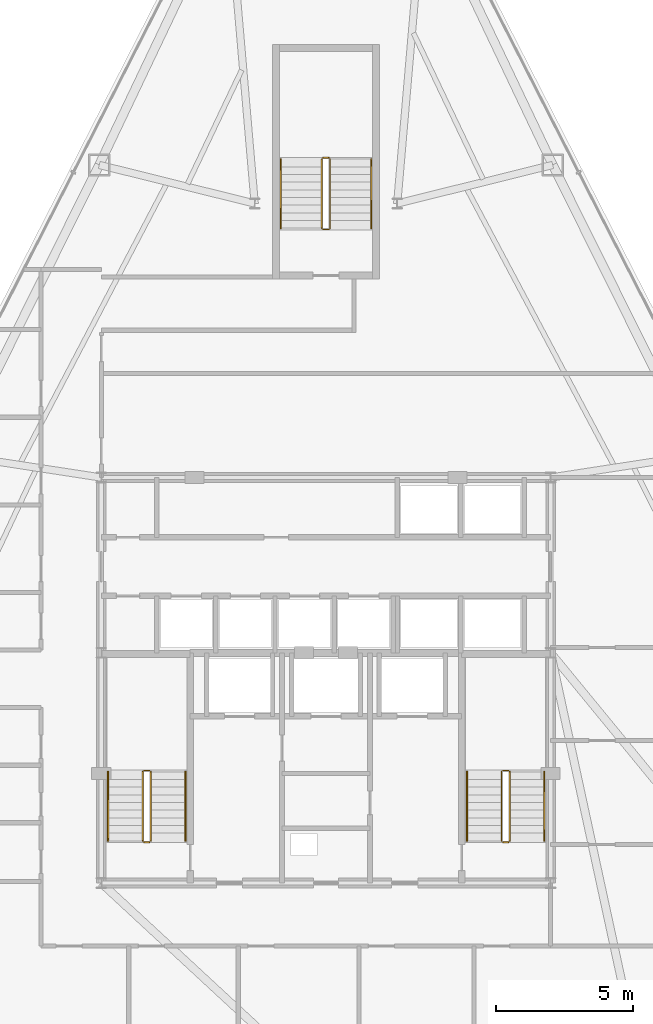
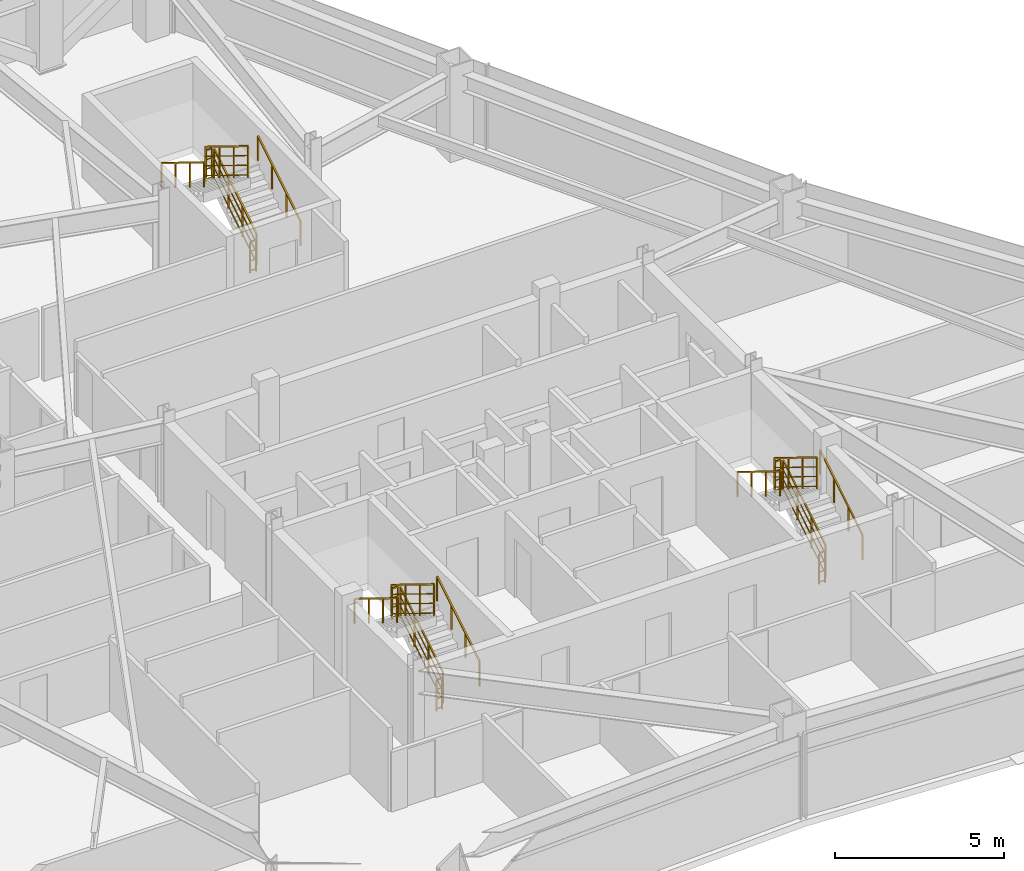
# One storey, part 12 of 12: 18 railings.
"""IFC4 building model written with IfcOpenShell, lengths in metres."""

from ifc_helpers import new_model, si_unit, direction, frame, origin, origin_2d, place, context, subcontext, project, spatial, rectangle, extrude, material, type_object, element, save


model = new_model("IFC4")

# Units and contexts
model_context = context("Model", 3, precision=1e-05, world=origin(), true_north=direction((0.0, 1.0)))
body_context = subcontext(model_context, "Body", "Model", "MODEL_VIEW")
ifc_project = project(units=[si_unit("LENGTHUNIT", "METRE"), si_unit("AREAUNIT", "SQUARE_METRE"), si_unit("VOLUMEUNIT", "CUBIC_METRE"), si_unit("PLANEANGLEUNIT", "RADIAN"), si_unit("MASSUNIT", "GRAM", prefix="KILO")], contexts=[model_context])

# Site, building, storey
site_placement = place(None, origin())
site = spatial("IfcSite", under=ifc_project, at=site_placement, CompositionType="ELEMENT")
building_placement = place(site_placement, origin())
building = spatial("IfcBuilding", under=site, at=building_placement, Name="Varakhsha Concourse Tower", CompositionType="ELEMENT")
storey_placement = place(building_placement, frame((0.0, 0.0, 193.050048828125)))
storey = spatial("IfcBuildingStorey", under=building, at=storey_placement, Name="L55", CompositionType="ELEMENT", Elevation=193.050048828125)

# Railings
ifc_material = material(Name="Brushed Austenitic Stainless Steel AISI 316", Category="steel")
railing_type_1 = type_object("IfcRailingType", Name="RL-STAIR-GUARD-1100", PredefinedType="GUARDRAIL", material=ifc_material)
railing_1_placement = place(storey_placement, frame((33.610107421875, 17.93994140625, 0.17236328125)))
element("IfcRailing", 1, at=railing_1_placement, inside=storey, type_object=railing_type_1, Name="L55 ST1 stair guard 1", PredefinedType="GUARDRAIL", context=body_context, shape_type="SweptSolid", body=[
    extrude(rectangle(XDim=0.048095703125, YDim=0.048095703125, at=origin_2d()), frame((0.0, 0.0, 1.1259765625), z_axis=(0.0, 0.851400495292, 0.524516154772), x_axis=(-1.0, 0.0, 0.0)), (0.0, 0.0, 1.0), 2.9599609375),
    extrude(rectangle(XDim=0.028076171875, YDim=0.028076171875, at=origin_2d()), frame((0.0, 0.0, 0.080078125), z_axis=(0.0, 0.851400495292, 0.524516154772), x_axis=(-1.0, 0.0, 0.0)), (0.0, 0.0, 1.0), 2.9599609375),
    extrude(rectangle(XDim=0.028076171875, YDim=0.028076171875, at=origin_2d()), frame((0.0, 0.0, 0.43701171875), z_axis=(0.0, 0.851400495292, 0.524516154772), x_axis=(-1.0, 0.0, 0.0)), (0.0, 0.0, 1.0), 2.9599609375),
    extrude(rectangle(XDim=0.028076171875, YDim=0.028076171875, at=origin_2d()), frame((0.0, 0.0, 0.781982421875), z_axis=(0.0, 0.851400495292, 0.524516154772), x_axis=(-1.0, 0.0, 0.0)), (0.0, 0.0, 1.0), 2.9599609375),
    extrude(rectangle(XDim=0.0419921875, YDim=0.0419921875, at=origin_2d()), origin(), (0.0, 0.0, 1.0), 1.101806640625),
    extrude(rectangle(XDim=0.0419921875, YDim=0.0419921875, at=origin_2d()), frame((0.0, 0.840087890625, 0.517578125)), (0.0, 0.0, 1.0), 1.101806640625),
    extrude(rectangle(XDim=0.0419921875, YDim=0.0419921875, at=origin_2d()), frame((0.0, 1.679931640625, 1.034912109375)), (0.0, 0.0, 1.0), 1.101806640625),
    extrude(rectangle(XDim=0.0419921875, YDim=0.0419921875, at=origin_2d()), frame((0.0, 2.52001953125, 1.552490234375)), (0.0, 0.0, 1.0), 1.101806640625),
])
railing_2_placement = place(storey_placement, frame((33.56005859375, 20.510009765625, 1.724853515625)))
element("IfcRailing", 2, at=railing_2_placement, inside=storey, type_object=railing_type_1, Name="L55 ST1 stair guard 2", PredefinedType="GUARDRAIL", context=body_context, shape_type="SweptSolid", body=[
    extrude(rectangle(XDim=0.048095703125, YDim=0.048095703125, at=origin_2d()), frame((0.0, 0.0, 1.1259765625), z_axis=(-1.0, 0.0, 0.0), x_axis=(0.0, -1.0, 0.0)), (0.0, 0.0, 1.0), 0.199951171875),
    extrude(rectangle(XDim=0.028076171875, YDim=0.028076171875, at=origin_2d()), frame((0.0, 0.0, 0.080078125), z_axis=(-1.0, 0.0, 0.0), x_axis=(0.0, -1.0, 0.0)), (0.0, 0.0, 1.0), 0.199951171875),
    extrude(rectangle(XDim=0.028076171875, YDim=0.028076171875, at=origin_2d()), frame((0.0, 0.0, 0.43701171875), z_axis=(-1.0, 0.0, 0.0), x_axis=(0.0, -1.0, 0.0)), (0.0, 0.0, 1.0), 0.199951171875),
    extrude(rectangle(XDim=0.028076171875, YDim=0.028076171875, at=origin_2d()), frame((0.0, 0.0, 0.781982421875), z_axis=(-1.0, 0.0, 0.0), x_axis=(0.0, -1.0, 0.0)), (0.0, 0.0, 1.0), 0.199951171875),
    extrude(rectangle(XDim=0.0419921875, YDim=0.0419921875, at=origin_2d()), origin(), (0.0, 0.0, 1.0), 1.101806640625),
    extrude(rectangle(XDim=0.0419921875, YDim=0.0419921875, at=origin_2d()), frame((-0.199951171875, 0.0, 0.0)), (0.0, 0.0, 1.0), 1.101806640625),
])
railing_3_placement = place(storey_placement, frame((33.31005859375, 20.4599609375, 1.8974609375)))
element("IfcRailing", 3, at=railing_3_placement, inside=storey, type_object=railing_type_1, Name="L55 ST1 stair guard 3", PredefinedType="GUARDRAIL", context=body_context, shape_type="SweptSolid", body=[
    extrude(rectangle(XDim=0.048095703125, YDim=0.048095703125, at=origin_2d()), frame((0.0, 0.0, 1.1259765625), z_axis=(0.0, -0.851400495292, 0.524516154772), x_axis=(1.0, 0.0, 0.0)), (0.0, 0.0, 1.0), 2.9599609375),
    extrude(rectangle(XDim=0.028076171875, YDim=0.028076171875, at=origin_2d()), frame((0.0, 0.0, 0.080078125), z_axis=(0.0, -0.851400495292, 0.524516154772), x_axis=(1.0, 0.0, 0.0)), (0.0, 0.0, 1.0), 2.9599609375),
    extrude(rectangle(XDim=0.028076171875, YDim=0.028076171875, at=origin_2d()), frame((0.0, 0.0, 0.43701171875), z_axis=(0.0, -0.851400495292, 0.524516154772), x_axis=(1.0, 0.0, 0.0)), (0.0, 0.0, 1.0), 2.9599609375),
    extrude(rectangle(XDim=0.028076171875, YDim=0.028076171875, at=origin_2d()), frame((0.0, 0.0, 0.781982421875), z_axis=(0.0, -0.851400495292, 0.524516154772), x_axis=(1.0, 0.0, 0.0)), (0.0, 0.0, 1.0), 2.9599609375),
    extrude(rectangle(XDim=0.0419921875, YDim=0.0419921875, at=origin_2d()), origin(), (0.0, 0.0, 1.0), 1.101806640625),
    extrude(rectangle(XDim=0.0419921875, YDim=0.0419921875, at=origin_2d()), frame((0.0, -0.840087890625, 0.517578125)), (0.0, 0.0, 1.0), 1.101806640625),
    extrude(rectangle(XDim=0.0419921875, YDim=0.0419921875, at=origin_2d()), frame((0.0, -1.679931640625, 1.034912109375)), (0.0, 0.0, 1.0), 1.101806640625),
    extrude(rectangle(XDim=0.0419921875, YDim=0.0419921875, at=origin_2d()), frame((0.0, -2.52001953125, 1.552490234375)), (0.0, 0.0, 1.0), 1.101806640625),
])
railing_4_placement = place(storey_placement, frame((33.56005859375, 17.889892578125, 0.0)))
element("IfcRailing", 4, at=railing_4_placement, inside=storey, type_object=railing_type_1, Name="L55 ST1 stair guard 4", PredefinedType="GUARDRAIL", context=body_context, shape_type="SweptSolid", body=[
    extrude(rectangle(XDim=0.048095703125, YDim=0.048095703125, at=origin_2d()), frame((0.0, 0.0, 1.1259765625), z_axis=(-1.0, 0.0, 0.0), x_axis=(0.0, -1.0, 0.0)), (0.0, 0.0, 1.0), 0.199951171875),
    extrude(rectangle(XDim=0.028076171875, YDim=0.028076171875, at=origin_2d()), frame((0.0, 0.0, 0.080078125), z_axis=(-1.0, 0.0, 0.0), x_axis=(0.0, -1.0, 0.0)), (0.0, 0.0, 1.0), 0.199951171875),
    extrude(rectangle(XDim=0.028076171875, YDim=0.028076171875, at=origin_2d()), frame((0.0, 0.0, 0.43701171875), z_axis=(-1.0, 0.0, 0.0), x_axis=(0.0, -1.0, 0.0)), (0.0, 0.0, 1.0), 0.199951171875),
    extrude(rectangle(XDim=0.028076171875, YDim=0.028076171875, at=origin_2d()), frame((0.0, 0.0, 0.781982421875), z_axis=(-1.0, 0.0, 0.0), x_axis=(0.0, -1.0, 0.0)), (0.0, 0.0, 1.0), 0.199951171875),
    extrude(rectangle(XDim=0.0419921875, YDim=0.0419921875, at=origin_2d()), origin(), (0.0, 0.0, 1.0), 1.101806640625),
    extrude(rectangle(XDim=0.0419921875, YDim=0.0419921875, at=origin_2d()), frame((-0.199951171875, 0.0, 0.0)), (0.0, 0.0, 1.0), 1.101806640625),
])
railing_5_placement = place(storey_placement, frame((46.7099609375, 17.93994140625, 0.17236328125)))
element("IfcRailing", 5, at=railing_5_placement, inside=storey, type_object=railing_type_1, Name="L55 ST2 stair guard 1", PredefinedType="GUARDRAIL", context=body_context, shape_type="SweptSolid", body=[
    extrude(rectangle(XDim=0.048095703125, YDim=0.048095703125, at=origin_2d()), frame((0.0, 0.0, 1.1259765625), z_axis=(0.0, 0.851400495292, 0.524516154772), x_axis=(-1.0, 0.0, 0.0)), (0.0, 0.0, 1.0), 2.9599609375),
    extrude(rectangle(XDim=0.028076171875, YDim=0.028076171875, at=origin_2d()), frame((0.0, 0.0, 0.080078125), z_axis=(0.0, 0.851400495292, 0.524516154772), x_axis=(-1.0, 0.0, 0.0)), (0.0, 0.0, 1.0), 2.9599609375),
    extrude(rectangle(XDim=0.028076171875, YDim=0.028076171875, at=origin_2d()), frame((0.0, 0.0, 0.43701171875), z_axis=(0.0, 0.851400495292, 0.524516154772), x_axis=(-1.0, 0.0, 0.0)), (0.0, 0.0, 1.0), 2.9599609375),
    extrude(rectangle(XDim=0.028076171875, YDim=0.028076171875, at=origin_2d()), frame((0.0, 0.0, 0.781982421875), z_axis=(0.0, 0.851400495292, 0.524516154772), x_axis=(-1.0, 0.0, 0.0)), (0.0, 0.0, 1.0), 2.9599609375),
    extrude(rectangle(XDim=0.0419921875, YDim=0.0419921875, at=origin_2d()), origin(), (0.0, 0.0, 1.0), 1.101806640625),
    extrude(rectangle(XDim=0.0419921875, YDim=0.0419921875, at=origin_2d()), frame((0.0, 0.840087890625, 0.517578125)), (0.0, 0.0, 1.0), 1.101806640625),
    extrude(rectangle(XDim=0.0419921875, YDim=0.0419921875, at=origin_2d()), frame((0.0, 1.679931640625, 1.034912109375)), (0.0, 0.0, 1.0), 1.101806640625),
    extrude(rectangle(XDim=0.0419921875, YDim=0.0419921875, at=origin_2d()), frame((0.0, 2.52001953125, 1.552490234375)), (0.0, 0.0, 1.0), 1.101806640625),
])
railing_6_placement = place(storey_placement, frame((46.659912109375, 20.510009765625, 1.724853515625)))
element("IfcRailing", 6, at=railing_6_placement, inside=storey, type_object=railing_type_1, Name="L55 ST2 stair guard 2", PredefinedType="GUARDRAIL", context=body_context, shape_type="SweptSolid", body=[
    extrude(rectangle(XDim=0.048095703125, YDim=0.048095703125, at=origin_2d()), frame((0.0, 0.0, 1.1259765625), z_axis=(-1.0, 0.0, 0.0), x_axis=(0.0, -1.0, 0.0)), (0.0, 0.0, 1.0), 0.199951171875),
    extrude(rectangle(XDim=0.028076171875, YDim=0.028076171875, at=origin_2d()), frame((0.0, 0.0, 0.080078125), z_axis=(-1.0, 0.0, 0.0), x_axis=(0.0, -1.0, 0.0)), (0.0, 0.0, 1.0), 0.199951171875),
    extrude(rectangle(XDim=0.028076171875, YDim=0.028076171875, at=origin_2d()), frame((0.0, 0.0, 0.43701171875), z_axis=(-1.0, 0.0, 0.0), x_axis=(0.0, -1.0, 0.0)), (0.0, 0.0, 1.0), 0.199951171875),
    extrude(rectangle(XDim=0.028076171875, YDim=0.028076171875, at=origin_2d()), frame((0.0, 0.0, 0.781982421875), z_axis=(-1.0, 0.0, 0.0), x_axis=(0.0, -1.0, 0.0)), (0.0, 0.0, 1.0), 0.199951171875),
    extrude(rectangle(XDim=0.0419921875, YDim=0.0419921875, at=origin_2d()), origin(), (0.0, 0.0, 1.0), 1.101806640625),
    extrude(rectangle(XDim=0.0419921875, YDim=0.0419921875, at=origin_2d()), frame((-0.199951171875, 0.0, 0.0)), (0.0, 0.0, 1.0), 1.101806640625),
])
railing_7_placement = place(storey_placement, frame((46.409912109375, 20.4599609375, 1.8974609375)))
element("IfcRailing", 7, at=railing_7_placement, inside=storey, type_object=railing_type_1, Name="L55 ST2 stair guard 3", PredefinedType="GUARDRAIL", context=body_context, shape_type="SweptSolid", body=[
    extrude(rectangle(XDim=0.048095703125, YDim=0.048095703125, at=origin_2d()), frame((0.0, 0.0, 1.1259765625), z_axis=(0.0, -0.851400495292, 0.524516154772), x_axis=(1.0, 0.0, 0.0)), (0.0, 0.0, 1.0), 2.9599609375),
    extrude(rectangle(XDim=0.028076171875, YDim=0.028076171875, at=origin_2d()), frame((0.0, 0.0, 0.080078125), z_axis=(0.0, -0.851400495292, 0.524516154772), x_axis=(1.0, 0.0, 0.0)), (0.0, 0.0, 1.0), 2.9599609375),
    extrude(rectangle(XDim=0.028076171875, YDim=0.028076171875, at=origin_2d()), frame((0.0, 0.0, 0.43701171875), z_axis=(0.0, -0.851400495292, 0.524516154772), x_axis=(1.0, 0.0, 0.0)), (0.0, 0.0, 1.0), 2.9599609375),
    extrude(rectangle(XDim=0.028076171875, YDim=0.028076171875, at=origin_2d()), frame((0.0, 0.0, 0.781982421875), z_axis=(0.0, -0.851400495292, 0.524516154772), x_axis=(1.0, 0.0, 0.0)), (0.0, 0.0, 1.0), 2.9599609375),
    extrude(rectangle(XDim=0.0419921875, YDim=0.0419921875, at=origin_2d()), origin(), (0.0, 0.0, 1.0), 1.101806640625),
    extrude(rectangle(XDim=0.0419921875, YDim=0.0419921875, at=origin_2d()), frame((0.0, -0.840087890625, 0.517578125)), (0.0, 0.0, 1.0), 1.101806640625),
    extrude(rectangle(XDim=0.0419921875, YDim=0.0419921875, at=origin_2d()), frame((0.0, -1.679931640625, 1.034912109375)), (0.0, 0.0, 1.0), 1.101806640625),
    extrude(rectangle(XDim=0.0419921875, YDim=0.0419921875, at=origin_2d()), frame((0.0, -2.52001953125, 1.552490234375)), (0.0, 0.0, 1.0), 1.101806640625),
])
railing_8_placement = place(storey_placement, frame((46.659912109375, 17.889892578125, 0.0)))
element("IfcRailing", 8, at=railing_8_placement, inside=storey, type_object=railing_type_1, Name="L55 ST2 stair guard 4", PredefinedType="GUARDRAIL", context=body_context, shape_type="SweptSolid", body=[
    extrude(rectangle(XDim=0.048095703125, YDim=0.048095703125, at=origin_2d()), frame((0.0, 0.0, 1.1259765625), z_axis=(-1.0, 0.0, 0.0), x_axis=(0.0, -1.0, 0.0)), (0.0, 0.0, 1.0), 0.199951171875),
    extrude(rectangle(XDim=0.028076171875, YDim=0.028076171875, at=origin_2d()), frame((0.0, 0.0, 0.080078125), z_axis=(-1.0, 0.0, 0.0), x_axis=(0.0, -1.0, 0.0)), (0.0, 0.0, 1.0), 0.199951171875),
    extrude(rectangle(XDim=0.028076171875, YDim=0.028076171875, at=origin_2d()), frame((0.0, 0.0, 0.43701171875), z_axis=(-1.0, 0.0, 0.0), x_axis=(0.0, -1.0, 0.0)), (0.0, 0.0, 1.0), 0.199951171875),
    extrude(rectangle(XDim=0.028076171875, YDim=0.028076171875, at=origin_2d()), frame((0.0, 0.0, 0.781982421875), z_axis=(-1.0, 0.0, 0.0), x_axis=(0.0, -1.0, 0.0)), (0.0, 0.0, 1.0), 0.199951171875),
    extrude(rectangle(XDim=0.0419921875, YDim=0.0419921875, at=origin_2d()), origin(), (0.0, 0.0, 1.0), 1.101806640625),
    extrude(rectangle(XDim=0.0419921875, YDim=0.0419921875, at=origin_2d()), frame((-0.199951171875, 0.0, 0.0)), (0.0, 0.0, 1.0), 1.101806640625),
])
railing_9_placement = place(storey_placement, frame((40.14990234375, 40.300048828125, 0.17236328125)))
element("IfcRailing", 9, at=railing_9_placement, inside=storey, type_object=railing_type_1, Name="L55 ST5 stair guard 1", PredefinedType="GUARDRAIL", context=body_context, shape_type="SweptSolid", body=[
    extrude(rectangle(XDim=0.048095703125, YDim=0.048095703125, at=origin_2d()), frame((0.0, 0.0, 1.1259765625), z_axis=(0.0, 0.851400495292, 0.524516154772), x_axis=(-1.0, 0.0, 0.0)), (0.0, 0.0, 1.0), 2.9599609375),
    extrude(rectangle(XDim=0.028076171875, YDim=0.028076171875, at=origin_2d()), frame((0.0, 0.0, 0.080078125), z_axis=(0.0, 0.851400495292, 0.524516154772), x_axis=(-1.0, 0.0, 0.0)), (0.0, 0.0, 1.0), 2.9599609375),
    extrude(rectangle(XDim=0.028076171875, YDim=0.028076171875, at=origin_2d()), frame((0.0, 0.0, 0.43701171875), z_axis=(0.0, 0.851400495292, 0.524516154772), x_axis=(-1.0, 0.0, 0.0)), (0.0, 0.0, 1.0), 2.9599609375),
    extrude(rectangle(XDim=0.028076171875, YDim=0.028076171875, at=origin_2d()), frame((0.0, 0.0, 0.781982421875), z_axis=(0.0, 0.851400495292, 0.524516154772), x_axis=(-1.0, 0.0, 0.0)), (0.0, 0.0, 1.0), 2.9599609375),
    extrude(rectangle(XDim=0.0419921875, YDim=0.0419921875, at=origin_2d()), origin(), (0.0, 0.0, 1.0), 1.101806640625),
    extrude(rectangle(XDim=0.0419921875, YDim=0.0419921875, at=origin_2d()), frame((0.0, 0.840087890625, 0.517578125)), (0.0, 0.0, 1.0), 1.101806640625),
    extrude(rectangle(XDim=0.0419921875, YDim=0.0419921875, at=origin_2d()), frame((0.0, 1.679931640625, 1.034912109375)), (0.0, 0.0, 1.0), 1.101806640625),
    extrude(rectangle(XDim=0.0419921875, YDim=0.0419921875, at=origin_2d()), frame((0.0, 2.52001953125, 1.552490234375)), (0.0, 0.0, 1.0), 1.101806640625),
])
railing_10_placement = place(storey_placement, frame((40.10009765625, 42.8701171875, 1.724853515625)))
element("IfcRailing", 10, at=railing_10_placement, inside=storey, type_object=railing_type_1, Name="L55 ST5 stair guard 2", PredefinedType="GUARDRAIL", context=body_context, shape_type="SweptSolid", body=[
    extrude(rectangle(XDim=0.048095703125, YDim=0.048095703125, at=origin_2d()), frame((0.0, 0.0, 1.1259765625), z_axis=(-1.0, 0.0, 0.0), x_axis=(0.0, -1.0, 0.0)), (0.0, 0.0, 1.0), 0.2001953125),
    extrude(rectangle(XDim=0.028076171875, YDim=0.028076171875, at=origin_2d()), frame((0.0, 0.0, 0.080078125), z_axis=(-1.0, 0.0, 0.0), x_axis=(0.0, -1.0, 0.0)), (0.0, 0.0, 1.0), 0.2001953125),
    extrude(rectangle(XDim=0.028076171875, YDim=0.028076171875, at=origin_2d()), frame((0.0, 0.0, 0.43701171875), z_axis=(-1.0, 0.0, 0.0), x_axis=(0.0, -1.0, 0.0)), (0.0, 0.0, 1.0), 0.2001953125),
    extrude(rectangle(XDim=0.028076171875, YDim=0.028076171875, at=origin_2d()), frame((0.0, 0.0, 0.781982421875), z_axis=(-1.0, 0.0, 0.0), x_axis=(0.0, -1.0, 0.0)), (0.0, 0.0, 1.0), 0.2001953125),
    extrude(rectangle(XDim=0.0419921875, YDim=0.0419921875, at=origin_2d()), origin(), (0.0, 0.0, 1.0), 1.101806640625),
    extrude(rectangle(XDim=0.0419921875, YDim=0.0419921875, at=origin_2d()), frame((-0.2001953125, 0.0, 0.0)), (0.0, 0.0, 1.0), 1.101806640625),
])
railing_11_placement = place(storey_placement, frame((39.85009765625, 42.820068359375, 1.8974609375)))
element("IfcRailing", 11, at=railing_11_placement, inside=storey, type_object=railing_type_1, Name="L55 ST5 stair guard 3", PredefinedType="GUARDRAIL", context=body_context, shape_type="SweptSolid", body=[
    extrude(rectangle(XDim=0.048095703125, YDim=0.048095703125, at=origin_2d()), frame((0.0, 0.0, 1.1259765625), z_axis=(0.0, -0.851400495292, 0.524516154772), x_axis=(1.0, 0.0, 0.0)), (0.0, 0.0, 1.0), 2.9599609375),
    extrude(rectangle(XDim=0.028076171875, YDim=0.028076171875, at=origin_2d()), frame((0.0, 0.0, 0.080078125), z_axis=(0.0, -0.851400495292, 0.524516154772), x_axis=(1.0, 0.0, 0.0)), (0.0, 0.0, 1.0), 2.9599609375),
    extrude(rectangle(XDim=0.028076171875, YDim=0.028076171875, at=origin_2d()), frame((0.0, 0.0, 0.43701171875), z_axis=(0.0, -0.851400495292, 0.524516154772), x_axis=(1.0, 0.0, 0.0)), (0.0, 0.0, 1.0), 2.9599609375),
    extrude(rectangle(XDim=0.028076171875, YDim=0.028076171875, at=origin_2d()), frame((0.0, 0.0, 0.781982421875), z_axis=(0.0, -0.851400495292, 0.524516154772), x_axis=(1.0, 0.0, 0.0)), (0.0, 0.0, 1.0), 2.9599609375),
    extrude(rectangle(XDim=0.0419921875, YDim=0.0419921875, at=origin_2d()), origin(), (0.0, 0.0, 1.0), 1.101806640625),
    extrude(rectangle(XDim=0.0419921875, YDim=0.0419921875, at=origin_2d()), frame((0.0, -0.840087890625, 0.517578125)), (0.0, 0.0, 1.0), 1.101806640625),
    extrude(rectangle(XDim=0.0419921875, YDim=0.0419921875, at=origin_2d()), frame((0.0, -1.679931640625, 1.034912109375)), (0.0, 0.0, 1.0), 1.101806640625),
    extrude(rectangle(XDim=0.0419921875, YDim=0.0419921875, at=origin_2d()), frame((0.0, -2.52001953125, 1.552490234375)), (0.0, 0.0, 1.0), 1.101806640625),
])
railing_12_placement = place(storey_placement, frame((40.10009765625, 40.25, 0.0)))
element("IfcRailing", 12, at=railing_12_placement, inside=storey, type_object=railing_type_1, Name="L55 ST5 stair guard 4", PredefinedType="GUARDRAIL", context=body_context, shape_type="SweptSolid", body=[
    extrude(rectangle(XDim=0.048095703125, YDim=0.048095703125, at=origin_2d()), frame((0.0, 0.0, 1.1259765625), z_axis=(-1.0, 0.0, 0.0), x_axis=(0.0, -1.0, 0.0)), (0.0, 0.0, 1.0), 0.2001953125),
    extrude(rectangle(XDim=0.028076171875, YDim=0.028076171875, at=origin_2d()), frame((0.0, 0.0, 0.080078125), z_axis=(-1.0, 0.0, 0.0), x_axis=(0.0, -1.0, 0.0)), (0.0, 0.0, 1.0), 0.2001953125),
    extrude(rectangle(XDim=0.028076171875, YDim=0.028076171875, at=origin_2d()), frame((0.0, 0.0, 0.43701171875), z_axis=(-1.0, 0.0, 0.0), x_axis=(0.0, -1.0, 0.0)), (0.0, 0.0, 1.0), 0.2001953125),
    extrude(rectangle(XDim=0.028076171875, YDim=0.028076171875, at=origin_2d()), frame((0.0, 0.0, 0.781982421875), z_axis=(-1.0, 0.0, 0.0), x_axis=(0.0, -1.0, 0.0)), (0.0, 0.0, 1.0), 0.2001953125),
    extrude(rectangle(XDim=0.0419921875, YDim=0.0419921875, at=origin_2d()), origin(), (0.0, 0.0, 1.0), 1.101806640625),
    extrude(rectangle(XDim=0.0419921875, YDim=0.0419921875, at=origin_2d()), frame((-0.2001953125, 0.0, 0.0)), (0.0, 0.0, 1.0), 1.101806640625),
])
railing_type_2 = type_object("IfcRailingType", Name="RL-STAIR-RAIL-915", PredefinedType="HANDRAIL", material=ifc_material)
railing_13_placement = place(storey_placement, frame((34.8701171875, 17.93994140625, 0.344970703125)))
element("IfcRailing", 13, at=railing_13_placement, inside=storey, type_object=railing_type_2, Name="L55 ST1 stair handrail 1", PredefinedType="HANDRAIL", context=body_context, shape_type="SweptSolid", body=[
    extrude(rectangle(XDim=0.048095703125, YDim=0.048095703125, at=origin_2d()), frame((0.0, 0.0, 0.89111328125), z_axis=(0.0, 0.851400495292, 0.524516154772), x_axis=(-1.0, 0.0, 0.0)), (0.0, 0.0, 1.0), 2.9599609375),
    extrude(rectangle(XDim=0.0419921875, YDim=0.0419921875, at=origin_2d()), origin(), (0.0, 0.0, 1.0), 0.866943359375),
    extrude(rectangle(XDim=0.0419921875, YDim=0.0419921875, at=origin_2d()), frame((0.0, 0.840087890625, 0.517578125)), (0.0, 0.0, 1.0), 0.866943359375),
    extrude(rectangle(XDim=0.0419921875, YDim=0.0419921875, at=origin_2d()), frame((0.0, 1.679931640625, 1.034912109375)), (0.0, 0.0, 1.0), 0.866943359375),
    extrude(rectangle(XDim=0.0419921875, YDim=0.0419921875, at=origin_2d()), frame((0.0, 2.52001953125, 1.552490234375)), (0.0, 0.0, 1.0), 0.866943359375),
])
railing_14_placement = place(storey_placement, frame((32.050048828125, 20.4599609375, 2.070068359375)))
element("IfcRailing", 14, at=railing_14_placement, inside=storey, type_object=railing_type_2, Name="L55 ST1 stair handrail 2", PredefinedType="HANDRAIL", context=body_context, shape_type="SweptSolid", body=[
    extrude(rectangle(XDim=0.048095703125, YDim=0.048095703125, at=origin_2d()), frame((0.0, 0.0, 0.89111328125), z_axis=(0.0, -0.851400495292, 0.524516154772), x_axis=(1.0, 0.0, 0.0)), (0.0, 0.0, 1.0), 2.9599609375),
    extrude(rectangle(XDim=0.0419921875, YDim=0.0419921875, at=origin_2d()), origin(), (0.0, 0.0, 1.0), 0.866943359375),
    extrude(rectangle(XDim=0.0419921875, YDim=0.0419921875, at=origin_2d()), frame((0.0, -0.840087890625, 0.517578125)), (0.0, 0.0, 1.0), 0.866943359375),
    extrude(rectangle(XDim=0.0419921875, YDim=0.0419921875, at=origin_2d()), frame((0.0, -1.679931640625, 1.034912109375)), (0.0, 0.0, 1.0), 0.866943359375),
    extrude(rectangle(XDim=0.0419921875, YDim=0.0419921875, at=origin_2d()), frame((0.0, -2.52001953125, 1.552490234375)), (0.0, 0.0, 1.0), 0.866943359375),
])
railing_15_placement = place(storey_placement, frame((47.969970703125, 17.93994140625, 0.344970703125)))
element("IfcRailing", 15, at=railing_15_placement, inside=storey, type_object=railing_type_2, Name="L55 ST2 stair handrail 1", PredefinedType="HANDRAIL", context=body_context, shape_type="SweptSolid", body=[
    extrude(rectangle(XDim=0.048095703125, YDim=0.048095703125, at=origin_2d()), frame((0.0, 0.0, 0.89111328125), z_axis=(0.0, 0.851400495292, 0.524516154772), x_axis=(-1.0, 0.0, 0.0)), (0.0, 0.0, 1.0), 2.9599609375),
    extrude(rectangle(XDim=0.0419921875, YDim=0.0419921875, at=origin_2d()), origin(), (0.0, 0.0, 1.0), 0.866943359375),
    extrude(rectangle(XDim=0.0419921875, YDim=0.0419921875, at=origin_2d()), frame((0.0, 0.840087890625, 0.517578125)), (0.0, 0.0, 1.0), 0.866943359375),
    extrude(rectangle(XDim=0.0419921875, YDim=0.0419921875, at=origin_2d()), frame((0.0, 1.679931640625, 1.034912109375)), (0.0, 0.0, 1.0), 0.866943359375),
    extrude(rectangle(XDim=0.0419921875, YDim=0.0419921875, at=origin_2d()), frame((0.0, 2.52001953125, 1.552490234375)), (0.0, 0.0, 1.0), 0.866943359375),
])
railing_16_placement = place(storey_placement, frame((45.14990234375, 20.4599609375, 2.070068359375)))
element("IfcRailing", 16, at=railing_16_placement, inside=storey, type_object=railing_type_2, Name="L55 ST2 stair handrail 2", PredefinedType="HANDRAIL", context=body_context, shape_type="SweptSolid", body=[
    extrude(rectangle(XDim=0.048095703125, YDim=0.048095703125, at=origin_2d()), frame((0.0, 0.0, 0.89111328125), z_axis=(0.0, -0.851400495292, 0.524516154772), x_axis=(1.0, 0.0, 0.0)), (0.0, 0.0, 1.0), 2.9599609375),
    extrude(rectangle(XDim=0.0419921875, YDim=0.0419921875, at=origin_2d()), origin(), (0.0, 0.0, 1.0), 0.866943359375),
    extrude(rectangle(XDim=0.0419921875, YDim=0.0419921875, at=origin_2d()), frame((0.0, -0.840087890625, 0.517578125)), (0.0, 0.0, 1.0), 0.866943359375),
    extrude(rectangle(XDim=0.0419921875, YDim=0.0419921875, at=origin_2d()), frame((0.0, -1.679931640625, 1.034912109375)), (0.0, 0.0, 1.0), 0.866943359375),
    extrude(rectangle(XDim=0.0419921875, YDim=0.0419921875, at=origin_2d()), frame((0.0, -2.52001953125, 1.552490234375)), (0.0, 0.0, 1.0), 0.866943359375),
])
railing_17_placement = place(storey_placement, frame((41.64990234375, 40.300048828125, 0.344970703125)))
element("IfcRailing", 17, at=railing_17_placement, inside=storey, type_object=railing_type_2, Name="L55 ST5 stair handrail 1", PredefinedType="HANDRAIL", context=body_context, shape_type="SweptSolid", body=[
    extrude(rectangle(XDim=0.048095703125, YDim=0.048095703125, at=origin_2d()), frame((0.0, 0.0, 0.89111328125), z_axis=(0.0, 0.851400495292, 0.524516154772), x_axis=(-1.0, 0.0, 0.0)), (0.0, 0.0, 1.0), 2.9599609375),
    extrude(rectangle(XDim=0.0419921875, YDim=0.0419921875, at=origin_2d()), origin(), (0.0, 0.0, 1.0), 0.866943359375),
    extrude(rectangle(XDim=0.0419921875, YDim=0.0419921875, at=origin_2d()), frame((0.0, 0.840087890625, 0.517578125)), (0.0, 0.0, 1.0), 0.866943359375),
    extrude(rectangle(XDim=0.0419921875, YDim=0.0419921875, at=origin_2d()), frame((0.0, 1.679931640625, 1.034912109375)), (0.0, 0.0, 1.0), 0.866943359375),
    extrude(rectangle(XDim=0.0419921875, YDim=0.0419921875, at=origin_2d()), frame((0.0, 2.52001953125, 1.552490234375)), (0.0, 0.0, 1.0), 0.866943359375),
])
railing_18_placement = place(storey_placement, frame((38.35009765625, 42.820068359375, 2.070068359375)))
element("IfcRailing", 18, at=railing_18_placement, inside=storey, type_object=railing_type_2, Name="L55 ST5 stair handrail 2", PredefinedType="HANDRAIL", context=body_context, shape_type="SweptSolid", body=[
    extrude(rectangle(XDim=0.048095703125, YDim=0.048095703125, at=origin_2d()), frame((0.0, 0.0, 0.89111328125), z_axis=(0.0, -0.851400495292, 0.524516154772), x_axis=(1.0, 0.0, 0.0)), (0.0, 0.0, 1.0), 2.9599609375),
    extrude(rectangle(XDim=0.0419921875, YDim=0.0419921875, at=origin_2d()), origin(), (0.0, 0.0, 1.0), 0.866943359375),
    extrude(rectangle(XDim=0.0419921875, YDim=0.0419921875, at=origin_2d()), frame((0.0, -0.840087890625, 0.517578125)), (0.0, 0.0, 1.0), 0.866943359375),
    extrude(rectangle(XDim=0.0419921875, YDim=0.0419921875, at=origin_2d()), frame((0.0, -1.679931640625, 1.034912109375)), (0.0, 0.0, 1.0), 0.866943359375),
    extrude(rectangle(XDim=0.0419921875, YDim=0.0419921875, at=origin_2d()), frame((0.0, -2.52001953125, 1.552490234375)), (0.0, 0.0, 1.0), 0.866943359375),
])

save(model, "model.ifc")
